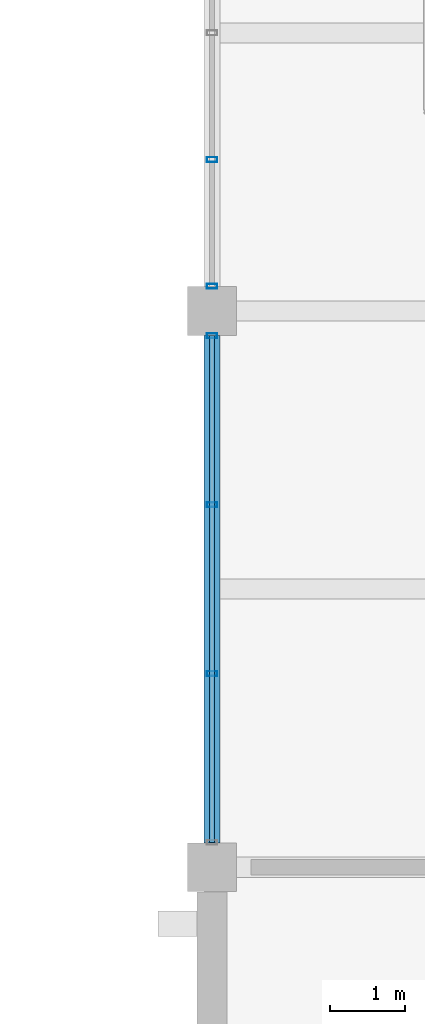
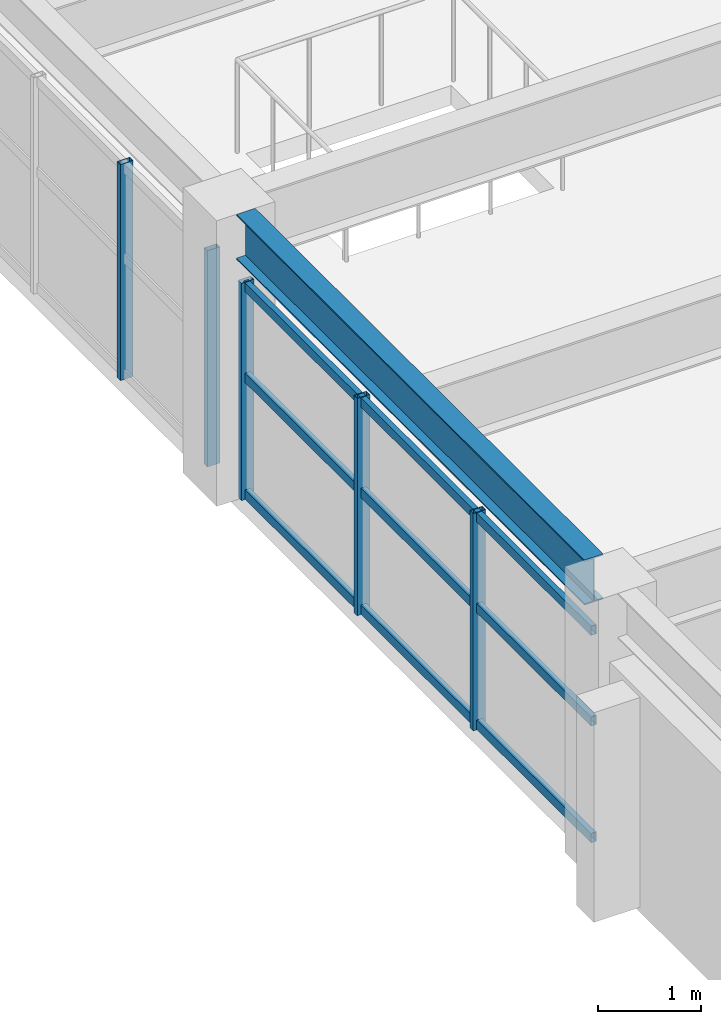
# One storey, part 31 of 93: 8 members, 1 beam, 2 elements without a shape of their own.
"""IFC4 building model written with IfcOpenShell, lengths in metres."""

from ifc_helpers import new_model, si_unit, direction, frame, origin, origin_2d, place, context, subcontext, project, spatial, hollow_rectangle, i_section, extrude, material, material_profile, profile_set, type_object, element, aggregate, save


model = new_model("IFC4")

# Units and contexts
model_context = context("Model", 3, precision=1e-05, world=origin(), true_north=direction((0.0, 1.0)))
body_context = subcontext(model_context, "Body", "Model", "MODEL_VIEW")
ifc_project = project(units=[si_unit("LENGTHUNIT", "METRE"), si_unit("AREAUNIT", "SQUARE_METRE"), si_unit("VOLUMEUNIT", "CUBIC_METRE"), si_unit("PLANEANGLEUNIT", "RADIAN"), si_unit("MASSUNIT", "GRAM", prefix="KILO")], contexts=[model_context])

# Site, building, storey
site_placement = place(None, origin())
site = spatial("IfcSite", under=ifc_project, at=site_placement, CompositionType="ELEMENT")
building_placement = place(site_placement, origin())
building = spatial("IfcBuilding", under=site, at=building_placement, Name="Cimatlan Art Gallery", CompositionType="ELEMENT")
storey_placement = place(building_placement, frame((0.0, 0.0, 13.800048828125)))
storey = spatial("IfcBuildingStorey", under=building, at=storey_placement, Name="L03", CompositionType="ELEMENT", Elevation=13.800048828125)

# Beam
ifc_material_1 = material(Name="Steel ASTM A992 Grade 50", Category="steel")
ifc_material_profile_1 = material_profile(ifc_material_1, i_section(OverallWidth=0.2099609375, OverallDepth=0.532958984375, WebThickness=0.01025390625, FlangeThickness=0.015625, at=origin_2d()), Name="W21X62")
ifc_profile_set_1 = profile_set([ifc_material_profile_1], Name="Steel ASTM A992 Grade 50")
beam_type = type_object("IfcBeamType", Name="BM-STL-W21X62", PredefinedType="BEAM", material=ifc_profile_set_1)
beam_placement = place(storey_placement, frame((74.89990234375, 39.02490234375, 3.113525390625), z_axis=(0.0, 1.0, 0.0), x_axis=(-1.0, 0.0, 0.0)))
element("IfcBeam", 1, at=beam_placement, inside=storey, type_object=beam_type, Name="BM-Y-L03-09-05", PredefinedType="BEAM", context=body_context, shape_type="SweptSolid", body=[
    extrude(i_section(OverallWidth=0.2099609375, OverallDepth=0.532958984375, WebThickness=0.01025390625, FlangeThickness=0.015625, at=origin_2d()), origin(), (0.0, 0.0, 1.0), 6.75),
])

# Curtain wall, members
ifc_material_2 = material(Name="Anodised bronze unitised curtain wall")
curtain_wall_type_1 = type_object("IfcCurtainWallType", Name="CW-V-06742X02573-B3", PredefinedType="NOTDEFINED", material=ifc_material_2)
curtain_wall_1_placement = place(storey_placement, origin())
curtain_wall_1 = element("IfcCurtainWall", 2, at=curtain_wall_1_placement, inside=storey, type_object=curtain_wall_type_1, Name="CW-L03-09-05-W", PredefinedType="NOTDEFINED")
ifc_material_3 = material(Name="Anodised bronze aluminium 6063-T6", Category="aluminium")
ifc_material_profile_2 = material_profile(ifc_material_3, hollow_rectangle(XDim=0.06494140625, YDim=0.139892578125, WallThickness=0.00390625, at=origin_2d()), Name="ALU65X140X4")
ifc_profile_set_2 = profile_set([ifc_material_profile_2], Name="Anodised bronze aluminium 6063-T6")
member_type_1 = type_object("IfcMemberType", Name="CW-MUL-140", PredefinedType="MULLION", material=ifc_profile_set_2)
member_1_placement = place(storey_placement, frame((74.89990234375, 41.2763671875, 0.0), z_axis=(0.0, 0.0, 1.0), x_axis=(0.0, 1.0, 0.0)))
member_1 = element("IfcMember", 3, at=member_1_placement, type_object=member_type_1, Name="CW-L03-09-05-W-M2", PredefinedType="MULLION", context=body_context, shape_type="SweptSolid", body=[
    extrude(hollow_rectangle(XDim=0.06494140625, YDim=0.139892578125, WallThickness=0.00390625, at=origin_2d()), origin(), (0.0, 0.0, 1.0), 2.572998046875),
])
member_2_placement = place(storey_placement, frame((74.89990234375, 43.523681640625, 0.0), z_axis=(0.0, 0.0, 1.0), x_axis=(0.0, 1.0, 0.0)))
member_2 = element("IfcMember", 4, at=member_2_placement, type_object=member_type_1, Name="CW-L03-09-05-W-M3", PredefinedType="MULLION", context=body_context, shape_type="SweptSolid", body=[
    extrude(hollow_rectangle(XDim=0.06494140625, YDim=0.139892578125, WallThickness=0.00390625, at=origin_2d()), origin(), (0.0, 0.0, 1.0), 2.572998046875),
])
member_3_placement = place(storey_placement, frame((74.89990234375, 45.77099609375, 0.0), z_axis=(0.0, 0.0, 1.0), x_axis=(0.0, 1.0, 0.0)))
member_3 = element("IfcMember", 5, at=member_3_placement, type_object=member_type_1, Name="CW-L03-09-05-W-M4", PredefinedType="MULLION", context=body_context, shape_type="SweptSolid", body=[
    extrude(hollow_rectangle(XDim=0.06494140625, YDim=0.139892578125, WallThickness=0.00390625, at=origin_2d()), origin(), (0.0, 0.0, 1.0), 2.572998046875),
])

curtain_wall_type_2 = type_object("IfcCurtainWallType", Name="CW-V-06742X02558-B4", PredefinedType="NOTDEFINED", material=ifc_material_2)
curtain_wall_2_placement = place(storey_placement, origin())
curtain_wall_2 = element("IfcCurtainWall", 6, at=curtain_wall_2_placement, inside=storey, type_object=curtain_wall_type_2, Name="CW-L03-09-06-W", PredefinedType="NOTDEFINED")
member_4_placement = place(storey_placement, frame((74.89990234375, 46.428955078125, 0.0), z_axis=(0.0, 0.0, 1.0), x_axis=(0.0, 1.0, 0.0)))
member_4 = element("IfcMember", 7, at=member_4_placement, type_object=member_type_1, Name="CW-L03-09-06-W-M1", PredefinedType="MULLION", context=body_context, shape_type="SweptSolid", body=[
    extrude(hollow_rectangle(XDim=0.06494140625, YDim=0.139892578125, WallThickness=0.00390625, at=origin_2d()), origin(), (0.0, 0.0, 1.0), 2.557861328125),
])
member_5_placement = place(storey_placement, frame((74.89990234375, 48.114501953125, 0.0), z_axis=(0.0, 0.0, 1.0), x_axis=(0.0, 1.0, 0.0)))
member_5 = element("IfcMember", 8, at=member_5_placement, type_object=member_type_1, Name="CW-L03-09-06-W-M2", PredefinedType="MULLION", context=body_context, shape_type="SweptSolid", body=[
    extrude(hollow_rectangle(XDim=0.06494140625, YDim=0.139892578125, WallThickness=0.00390625, at=origin_2d()), origin(), (0.0, 0.0, 1.0), 2.557861328125),
])
aggregate(curtain_wall_2, [member_4, member_5])

# Member
ifc_material_profile_3 = material_profile(ifc_material_3, hollow_rectangle(XDim=0.06005859375, YDim=0.110107421875, WallThickness=0.00341796875, at=origin_2d()), Name="ALU60X110X3")
ifc_profile_set_3 = profile_set([ifc_material_profile_3], Name="Anodised bronze aluminium 6063-T6")
member_type_2 = type_object("IfcMemberType", Name="CW-TRN-110", PredefinedType="USERDEFINED", material=ifc_profile_set_3)
member_6_placement = place(storey_placement, frame((74.89990234375, 39.029052734375, 0.06005859375), z_axis=(0.0, 1.0, 0.0), x_axis=(-1.0, 0.0, 0.0)))
member_6 = element("IfcMember", 9, at=member_6_placement, type_object=member_type_2, Name="CW-L03-09-05-W-T1", ObjectType="TRANSOM", PredefinedType="USERDEFINED", context=body_context, shape_type="SweptSolid", body=[
    extrude(hollow_rectangle(XDim=0.06005859375, YDim=0.110107421875, WallThickness=0.00341796875, at=origin_2d()), origin(), (0.0, 0.0, 1.0), 6.741943359375),
])

member_7_placement = place(storey_placement, frame((74.89990234375, 39.029052734375, 1.44091796875), z_axis=(0.0, 1.0, 0.0), x_axis=(-1.0, 0.0, 0.0)))
member_7 = element("IfcMember", 10, at=member_7_placement, type_object=member_type_2, Name="CW-L03-09-05-W-T2", ObjectType="TRANSOM", PredefinedType="USERDEFINED", context=body_context, shape_type="SweptSolid", body=[
    extrude(hollow_rectangle(XDim=0.06005859375, YDim=0.110107421875, WallThickness=0.00341796875, at=origin_2d()), origin(), (0.0, 0.0, 1.0), 6.741943359375),
])

member_8_placement = place(storey_placement, frame((74.89990234375, 39.029052734375, 2.512939453125), z_axis=(0.0, 1.0, 0.0), x_axis=(-1.0, 0.0, 0.0)))
member_8 = element("IfcMember", 11, at=member_8_placement, type_object=member_type_2, Name="CW-L03-09-05-W-T3", ObjectType="TRANSOM", PredefinedType="USERDEFINED", context=body_context, shape_type="SweptSolid", body=[
    extrude(hollow_rectangle(XDim=0.06005859375, YDim=0.110107421875, WallThickness=0.00341796875, at=origin_2d()), origin(), (0.0, 0.0, 1.0), 6.741943359375),
])

aggregate(curtain_wall_1, [member_1, member_2, member_3, member_6, member_7, member_8])

save(model, "model.ifc")
